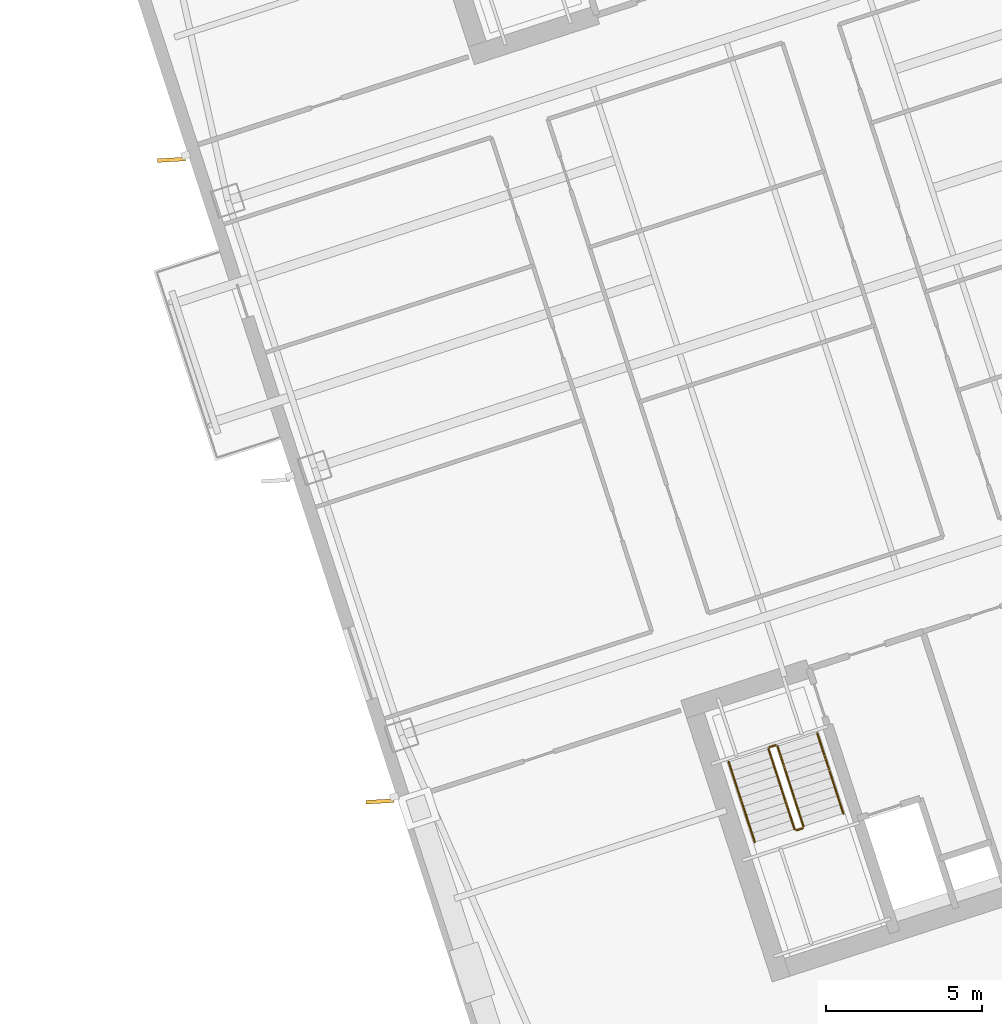
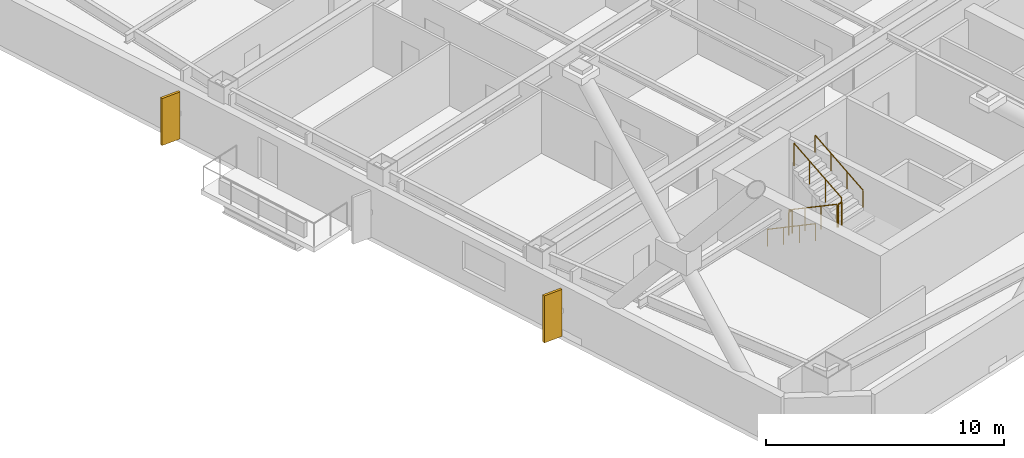
# One storey, part 23 of 24: 6 railings, 2 shading devices.
"""IFC4 building model written with IfcOpenShell, lengths in metres."""

from ifc_helpers import new_model, si_unit, direction, frame, origin, origin_2d, place, context, subcontext, project, spatial, rectangle, circle, extrude, material, layer, layer_set, type_object, element, save


model = new_model("IFC4")

# Units and contexts
model_context = context("Model", 3, precision=1e-05, world=origin(), true_north=direction((0.0, 1.0)))
body_context = subcontext(model_context, "Body", "Model", "MODEL_VIEW")
ifc_project = project(units=[si_unit("LENGTHUNIT", "METRE"), si_unit("AREAUNIT", "SQUARE_METRE"), si_unit("VOLUMEUNIT", "CUBIC_METRE"), si_unit("PLANEANGLEUNIT", "RADIAN"), si_unit("MASSUNIT", "GRAM", prefix="KILO")], contexts=[model_context])

# Site, building, storey
site_placement = place(None, origin())
site = spatial("IfcSite", under=ifc_project, at=site_placement, CompositionType="ELEMENT")
building_placement = place(site_placement, origin())
building = spatial("IfcBuilding", under=site, at=building_placement, Name="Qiaolan Cultural Towers", CompositionType="ELEMENT")
storey_placement = place(building_placement, frame((0.0, 0.0, 120.75)))
storey = spatial("IfcBuildingStorey", under=building, at=storey_placement, Name="L31", CompositionType="ELEMENT", Elevation=120.75)

# Railings
ifc_material_1 = material(Name="Galvanized Painted Steel Stair Guardrail", Category="steel")
railing_type_1 = type_object("IfcRailingType", Name="RL-STAIR-GRD", PredefinedType="GUARDRAIL", material=ifc_material_1)
railing_1_placement = place(storey_placement, frame((88.60205078125, 19.82421875, 0.172607421875)))
element("IfcRailing", 1, at=railing_1_placement, inside=storey, type_object=railing_type_1, Name="L31 ST-E1 stair guard 1", PredefinedType="GUARDRAIL", context=body_context, shape_type="SweptSolid", body=[
    extrude(circle(Radius=0.02392578125, at=origin_2d()), frame((0.0, 0.0, 1.17578125), z_axis=(0.267925668498, -0.824471088726, 0.498460891159), x_axis=(0.951043371037, 0.309057448393, 0.0)), (0.0, 0.0, 1.0), 3.114501953125),
    extrude(circle(Radius=0.02099609375, at=origin_2d()), origin(), (0.0, 0.0, 1.0), 1.15185546875),
    extrude(circle(Radius=0.02099609375, at=origin_2d()), frame((0.278076171875, -0.85595703125, 0.517578125)), (0.0, 0.0, 1.0), 1.15185546875),
    extrude(circle(Radius=0.02099609375, at=origin_2d()), frame((0.556396484375, -1.7119140625, 1.034912109375)), (0.0, 0.0, 1.0), 1.15185546875),
    extrude(circle(Radius=0.02099609375, at=origin_2d()), frame((0.83447265625, -2.56787109375, 1.552490234375)), (0.0, 0.0, 1.0), 1.15185546875),
])
railing_2_placement = place(storey_placement, frame((89.49951171875, 17.224365234375, 1.72509765625)))
element("IfcRailing", 2, at=railing_2_placement, inside=storey, type_object=railing_type_1, Name="L31 ST-E1 stair guard 2", PredefinedType="GUARDRAIL", context=body_context, shape_type="SweptSolid", body=[
    extrude(circle(Radius=0.02392578125, at=origin_2d()), frame((0.0, 0.0, 1.17578125), z_axis=(0.951096855055, 0.308892816854, 0.0), x_axis=(-0.308892816854, 0.951096855055, 0.0)), (0.0, 0.0, 1.0), 0.199951171875),
    extrude(circle(Radius=0.02099609375, at=origin_2d()), origin(), (0.0, 0.0, 1.0), 1.15185546875),
    extrude(circle(Radius=0.02099609375, at=origin_2d()), frame((0.190185546875, 0.061767578125, 0.0)), (0.0, 0.0, 1.0), 1.15185546875),
])
railing_3_placement = place(storey_placement, frame((89.721923828125, 17.34912109375, 1.8974609375)))
element("IfcRailing", 3, at=railing_3_placement, inside=storey, type_object=railing_type_1, Name="L31 ST-E1 stair guard 3", PredefinedType="GUARDRAIL", context=body_context, shape_type="SweptSolid", body=[
    extrude(circle(Radius=0.02392578125, at=origin_2d()), frame((0.0, 0.0, 1.17578125), z_axis=(-0.267925668498, 0.824471088726, 0.498460891159), x_axis=(-0.951043371037, -0.309057448393, 0.0)), (0.0, 0.0, 1.0), 3.114501953125),
    extrude(circle(Radius=0.02099609375, at=origin_2d()), origin(), (0.0, 0.0, 1.0), 1.15185546875),
    extrude(circle(Radius=0.02099609375, at=origin_2d()), frame((-0.278076171875, 0.85595703125, 0.517578125)), (0.0, 0.0, 1.0), 1.15185546875),
    extrude(circle(Radius=0.02099609375, at=origin_2d()), frame((-0.556396484375, 1.7119140625, 1.034912109375)), (0.0, 0.0, 1.0), 1.15185546875),
    extrude(circle(Radius=0.02099609375, at=origin_2d()), frame((-0.83447265625, 2.56787109375, 1.552490234375)), (0.0, 0.0, 1.0), 1.15185546875),
])
railing_4_placement = place(storey_placement, frame((88.63427734375, 19.88720703125, 0.0)))
element("IfcRailing", 4, at=railing_4_placement, inside=storey, type_object=railing_type_1, Name="L31 ST-E1 stair guard 4", PredefinedType="GUARDRAIL", context=body_context, shape_type="SweptSolid", body=[
    extrude(circle(Radius=0.02392578125, at=origin_2d()), frame((0.0, 0.0, 1.17578125), z_axis=(0.951096855055, 0.308892816854, 0.0), x_axis=(-0.308892816854, 0.951096855055, 0.0)), (0.0, 0.0, 1.0), 0.199951171875),
    extrude(circle(Radius=0.02099609375, at=origin_2d()), origin(), (0.0, 0.0, 1.0), 1.15185546875),
    extrude(circle(Radius=0.02099609375, at=origin_2d()), frame((0.190185546875, 0.061767578125, 0.0)), (0.0, 0.0, 1.0), 1.15185546875),
])
ifc_material_2 = material(Name="Stainless Steel S30408 Tubular Handrail", Category="steel")
railing_type_2 = type_object("IfcRailingType", Name="RL-STAIR-HR", PredefinedType="HANDRAIL", material=ifc_material_2)
railing_5_placement = place(storey_placement, frame((87.32763671875, 19.41015625, 0.172607421875)))
element("IfcRailing", 5, at=railing_5_placement, inside=storey, type_object=railing_type_2, Name="L31 ST-E1 stair handrail 1", PredefinedType="HANDRAIL", context=body_context, shape_type="SweptSolid", body=[
    extrude(circle(Radius=0.02392578125, at=origin_2d()), frame((0.0, 0.0, 0.8759765625), z_axis=(0.267925668498, -0.824471088726, 0.498460891159), x_axis=(0.951043371037, 0.309057448393, 0.0)), (0.0, 0.0, 1.0), 3.114501953125),
    extrude(circle(Radius=0.02099609375, at=origin_2d()), origin(), (0.0, 0.0, 1.0), 0.851806640625),
    extrude(circle(Radius=0.02099609375, at=origin_2d()), frame((0.278076171875, -0.85595703125, 0.517578125)), (0.0, 0.0, 1.0), 0.851806640625),
    extrude(circle(Radius=0.02099609375, at=origin_2d()), frame((0.556396484375, -1.7119140625, 1.034912109375)), (0.0, 0.0, 1.0), 0.851806640625),
    extrude(circle(Radius=0.02099609375, at=origin_2d()), frame((0.83447265625, -2.56787109375, 1.552490234375)), (0.0, 0.0, 1.0), 0.851806640625),
])
railing_6_placement = place(storey_placement, frame((90.996337890625, 17.76318359375, 1.8974609375)))
element("IfcRailing", 6, at=railing_6_placement, inside=storey, type_object=railing_type_2, Name="L31 ST-E1 stair handrail 2", PredefinedType="HANDRAIL", context=body_context, shape_type="SweptSolid", body=[
    extrude(circle(Radius=0.02392578125, at=origin_2d()), frame((0.0, 0.0, 0.8759765625), z_axis=(-0.267925668498, 0.824471088726, 0.498460891159), x_axis=(-0.951043371037, -0.309057448393, 0.0)), (0.0, 0.0, 1.0), 3.114501953125),
    extrude(circle(Radius=0.02099609375, at=origin_2d()), origin(), (0.0, 0.0, 1.0), 0.851806640625),
    extrude(circle(Radius=0.02099609375, at=origin_2d()), frame((-0.278076171875, 0.85595703125, 0.517578125)), (0.0, 0.0, 1.0), 0.851806640625),
    extrude(circle(Radius=0.02099609375, at=origin_2d()), frame((-0.556396484375, 1.7119140625, 1.034912109375)), (0.0, 0.0, 1.0), 0.851806640625),
    extrude(circle(Radius=0.02099609375, at=origin_2d()), frame((-0.83447265625, 2.56787109375, 1.552490234375)), (0.0, 0.0, 1.0), 0.851806640625),
])

# Shading devices
ifc_material_3 = material(Name="Pierced Warm Terracotta Acoustic Fin", Category="masonry")
ifc_layer = layer(ifc_material_3, 0.1201171875)
ifc_layer_set = layer_set([ifc_layer], Name="Pierced Warm Terracotta Acoustic Fin")
shading_device_type = type_object("IfcShadingDeviceType", Name="SHD-FIN-PIERCED", PredefinedType="USERDEFINED", material=ifc_layer_set)
for number, where, z_axis, x_axis, name in (
    (7, (76.161376953125, 18.147705078125, 0.10009765625), (0.0, 0.0, 1.0), (0.998413479427, 0.056307407143, 0.0), "L31 T2 Expressive Precast Vertical Fin W1"),
    (8, (69.486572265625, 38.690673828125, 0.10009765625), (0.0, 0.0, 1.0), (0.998413479427, 0.056307407143, 0.0), "L31 T2 Expressive Precast Vertical Fin W3"),
):
    element("IfcShadingDevice", number, at=place(storey_placement, frame(where, z_axis=z_axis, x_axis=x_axis)), inside=storey, type_object=shading_device_type, Name=name, ObjectType="FIN", PredefinedType="USERDEFINED", context=body_context, shape_type="SweptSolid", body=[
        extrude(rectangle(XDim=0.89990234375, YDim=0.1201171875, at=origin_2d()), origin(), (0.0, 0.0, 1.0), 2.409912109375),
    ])

save(model, "model.ifc")
